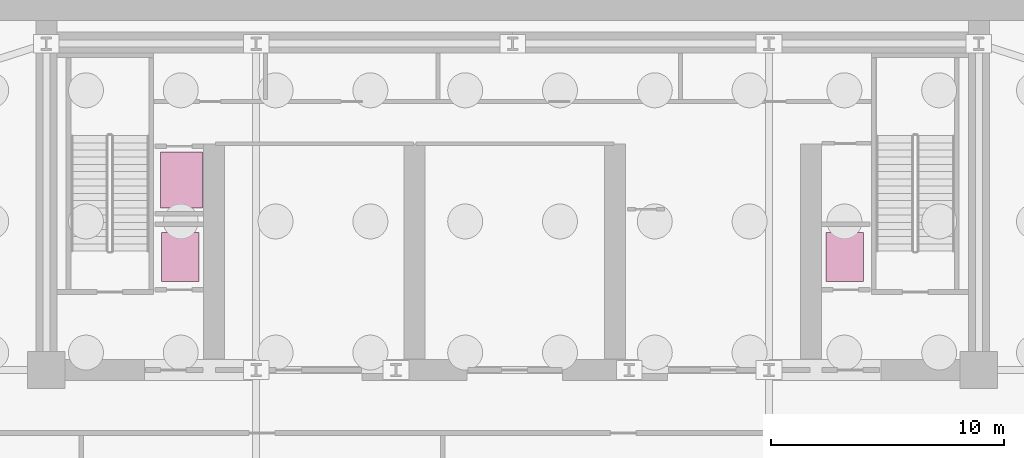
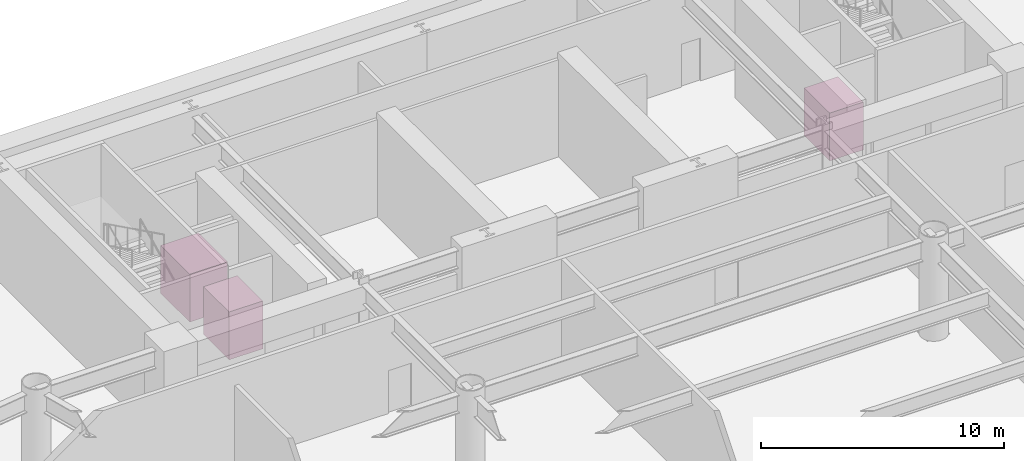
# One storey, part 11 of 11: 3 transport elements.
"""IFC4 building model written with IfcOpenShell, lengths in metres."""

from ifc_helpers import new_model, si_unit, direction, frame, origin, origin_2d, place, context, subcontext, project, spatial, rectangle, extrude, source, transform, mapped, material, type_object, element, save


model = new_model("IFC4")

# Units and contexts
model_context = context("Model", 3, precision=1e-05, world=origin(), true_north=direction((0.0, 1.0)))
body_context = subcontext(model_context, "Body", "Model", "MODEL_VIEW")
ifc_project = project(units=[si_unit("LENGTHUNIT", "METRE"), si_unit("AREAUNIT", "SQUARE_METRE"), si_unit("VOLUMEUNIT", "CUBIC_METRE"), si_unit("PLANEANGLEUNIT", "RADIAN"), si_unit("MASSUNIT", "GRAM", prefix="KILO")], contexts=[model_context])

# Site, building, storey
site_placement = place(None, origin())
site = spatial("IfcSite", under=ifc_project, at=site_placement, CompositionType="ELEMENT")
building_placement = place(site_placement, origin())
building = spatial("IfcBuilding", under=site, at=building_placement, Name="Vaeldorn Concourse Tower", CompositionType="ELEMENT")
storey_placement = place(building_placement, frame((0.0, 0.0, -15.60009765625)))
storey = spatial("IfcBuildingStorey", under=building, at=storey_placement, Name="B03", CompositionType="ELEMENT", Elevation=-15.60009765625)

# Transport elements
ifc_material = material(Name="Anodised Bronze Aluminium", Category="aluminium")
transport_element_type_1 = type_object("IfcTransportElementType", Name="LIFT-SERV-2500", PredefinedType="ELEVATOR", material=ifc_material)
shared_shape_1 = source(origin(), body_context, "Body", "SweptSolid", [
    extrude(rectangle(XDim=1.800048828125, YDim=2.39990234375, at=origin_2d()), origin(), (0.0, 0.0, 1.0), 2.39990234375),
])
transport_element_placement = place(storey_placement, frame((19.800048828125, 44.64990234375, 0.000244140625), z_axis=(0.0, 0.0, 1.0), x_axis=(1.0, 0.0, 0.0)))
element("IfcTransportElement", 1, at=transport_element_placement, inside=storey, type_object=transport_element_type_1, Name="Elevator Car LF-SV1", PredefinedType="ELEVATOR", context=body_context, shape_type="MappedRepresentation", body=[
    mapped(shared_shape_1, transform((0.0, 0.0, 0.0), scale=1.0)),
])
transport_element_type_2 = type_object("IfcTransportElementType", Name="LIFT-FIRE-1600", PredefinedType="ELEVATOR", material=ifc_material)
shared_shape_2 = source(origin(), body_context, "Body", "SweptSolid", [
    extrude(rectangle(XDim=1.60009765625, YDim=2.10009765625, at=origin_2d()), origin(), (0.0, 0.0, 1.0), 2.39990234375),
])
for number, where, z_axis, x_axis, name in (
    (2, (19.75, 41.35009765625, 0.000244140625), (0.0, 0.0, 1.0), (1.0, 0.0, 0.0), "Elevator Car LF-FF1"),
    (3, (48.25, 41.35009765625, 0.000244140625), (0.0, 0.0, 1.0), (1.0, 0.0, 0.0), "Elevator Car LF-FF2"),
):
    element("IfcTransportElement", number, at=place(storey_placement, frame(where, z_axis=z_axis, x_axis=x_axis)), inside=storey, type_object=transport_element_type_2, Name=name, PredefinedType="ELEVATOR", context=body_context, shape_type="MappedRepresentation", body=[
        mapped(shared_shape_2, transform((0.0, 0.0, 0.0), scale=1.0)),
    ])

save(model, "model.ifc")
